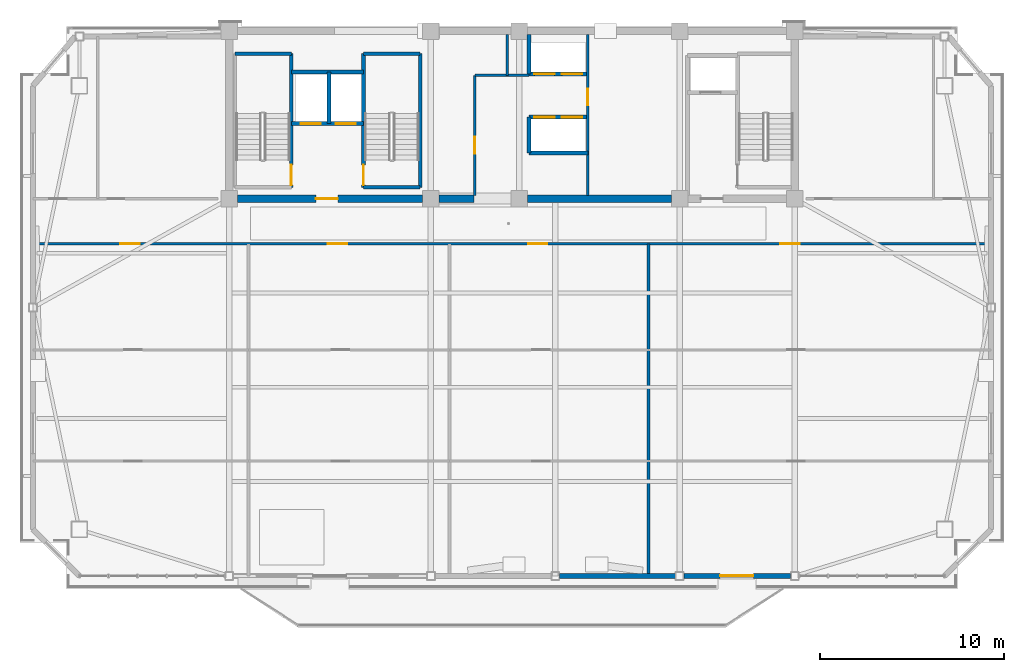
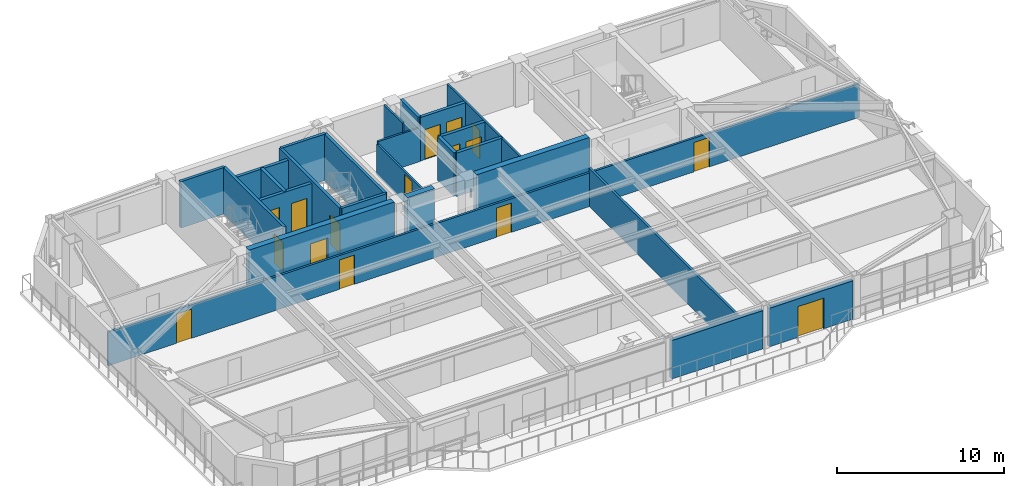
# One storey, part 9 of 16: 25 walls, 16 doors, 16 openings.
"""IFC4 building model written with IfcOpenShell, lengths in metres."""

import ifcopenshell
import ifcopenshell.guid

model = None  # the IFC model being written
_history = None  # IfcOwnerHistory: only IFC2X3 demands one
_inside = {}  # id of a spatial element -> (the spatial element, [elements in it])
_under = {}  # id of a project, library or spatial element -> (it, [spatial elements below it])
_declared = {}  # id of a project -> (the project, [libraries it declares])
_typed = {}  # id of a type object -> (the type object, [elements of that type])
_made_of = {}  # id of a material, layer set ... -> (it, [elements and type objects made of it])


def new_model(schema):
    """Start an empty IFC model of exactly this schema.

    Asked for "IFC4X3", IfcOpenShell would pick the latest addendum, in which some entities
    have other attributes; the version numbers below select the first issue.
    IFC2X3 requires an IfcOwnerHistory on every rooted entity: one is made here for all.
    """
    global model, _history
    if schema == "IFC4X3":
        model = ifcopenshell.file(schema_version=(4, 3, 0, 0))
    else:
        model = ifcopenshell.file(schema=schema)
    _inside.clear()
    _under.clear()
    _declared.clear()
    _typed.clear()
    _made_of.clear()
    _history = None
    if model.schema == "IFC2X3":
        org = make("IfcOrganization", Name="unknown")
        user = make(
            "IfcPersonAndOrganization",
            ThePerson=make("IfcPerson", FamilyName="unknown"),
            TheOrganization=org,
        )
        app = make(
            "IfcApplication",
            ApplicationDeveloper=org,
            Version="unknown",
            ApplicationFullName="unknown",
            ApplicationIdentifier="unknown",
        )
        _history = make(
            "IfcOwnerHistory",
            OwningUser=user,
            OwningApplication=app,
            ChangeAction="ADDED",
            CreationDate=0,
        )
    return model


def make(cls, **values):
    """One entity of the class cls with the attributes given. An attribute that is None is left unset."""
    return model.create_entity(
        cls, **{name: value for name, value in values.items() if value is not None}
    )


def rooted(cls, **values):
    """An entity with a GlobalId (a new one), such as an element, a storey or a relation."""
    return make(cls, GlobalId=ifcopenshell.guid.new(), OwnerHistory=_history, **values)


def si_unit(unit_type, name, prefix=None):
    """IfcSIUnit, for example si_unit("LENGTHUNIT", "METRE", prefix="MILLI")."""
    return make("IfcSIUnit", UnitType=unit_type, Prefix=prefix, Name=name)


def assignment(units):
    """IfcUnitAssignment: the units of a project."""
    return None if units is None else make("IfcUnitAssignment", Units=units)


def point(xyz):
    """IfcCartesianPoint."""
    return None if xyz is None else make("IfcCartesianPoint", Coordinates=xyz)


def direction(xyz):
    """IfcDirection."""
    return None if xyz is None else make("IfcDirection", DirectionRatios=xyz)


def frame(location, z_axis=None, x_axis=None):
    """IfcAxis2Placement3D, a coordinate frame: its origin and axes. An axis left out is left unset."""
    return make(
        "IfcAxis2Placement3D",
        Location=point(location),
        Axis=direction(z_axis),
        RefDirection=direction(x_axis),
    )


def frame_2d(location, x_axis=None):
    """IfcAxis2Placement2D, a coordinate frame in the plane: its origin and x axis."""
    return make(
        "IfcAxis2Placement2D", Location=point(location), RefDirection=direction(x_axis)
    )


def origin():
    """The frame at (0, 0, 0) with its axes left unset."""
    return frame((0.0, 0.0, 0.0))


def place(relative_to, where):
    """IfcLocalPlacement: puts the frame where relative to a parent placement (None: the world)."""
    return make(
        "IfcLocalPlacement", PlacementRelTo=relative_to, RelativePlacement=where
    )


def context(
    kind, dimensions, precision=None, world=None, true_north=None, identifier=None
):
    """IfcGeometricRepresentationContext, for example the 3D "Model" context."""
    return make(
        "IfcGeometricRepresentationContext",
        ContextIdentifier=identifier,
        ContextType=kind,
        CoordinateSpaceDimension=dimensions,
        Precision=precision,
        WorldCoordinateSystem=world,
        TrueNorth=true_north,
    )


def subcontext(parent, identifier, kind, view, scale=None):
    """IfcGeometricRepresentationSubContext, for example "Body" below "Model"."""
    return make(
        "IfcGeometricRepresentationSubContext",
        ContextIdentifier=identifier,
        ContextType=kind,
        ParentContext=parent,
        TargetScale=scale,
        TargetView=view,
    )


def project(units=None, contexts=None):
    """IfcProject with its units and contexts."""
    return rooted(
        "IfcProject",
        Name="project",
        RepresentationContexts=contexts,
        UnitsInContext=assignment(units),
    )


def spatial(cls, under=None, at=None, **own):
    """A site, building, storey or space (cls), placed at a placement, below another one or the project."""
    s = rooted(cls, ObjectPlacement=at, **own)
    if under is not None:
        _under.setdefault(under.id(), (under, []))[1].append(s)
    return s


def profile(cls, at=None, kind="AREA", **sizes):
    """A parametric profile (cls). Its sizes go by their IFC names, for example OverallWidth=200.0."""
    return make(cls, ProfileType=kind, Position=at, **sizes)


def rectangle(**sizes):
    """IfcRectangleProfileDef."""
    return profile("IfcRectangleProfileDef", **sizes)


def extrude(swept, where, along, depth):
    """IfcExtrudedAreaSolid: the profile swept, set in the frame where, extruded along a direction by depth."""
    return make(
        "IfcExtrudedAreaSolid",
        SweptArea=swept,
        Position=where,
        ExtrudedDirection=direction(along),
        Depth=depth,
    )


def shape(context_of_items, identifier, shape_type, items):
    """IfcShapeRepresentation: the items that make up one representation, for example the "Body"."""
    return make(
        "IfcShapeRepresentation",
        ContextOfItems=context_of_items,
        RepresentationIdentifier=identifier,
        RepresentationType=shape_type,
        Items=items,
    )


def source(mapping_origin, context_of_items, identifier, shape_type, items):
    """IfcRepresentationMap: a shape defined once, which mapped items show again and again."""
    return make(
        "IfcRepresentationMap",
        MappingOrigin=mapping_origin,
        MappedRepresentation=shape(context_of_items, identifier, shape_type, items),
    )


def transform(
    local_origin,
    x_axis=None,
    y_axis=None,
    z_axis=None,
    scale=None,
    scale2=None,
    scale3=None,
    uniform=True,
):
    """IfcCartesianTransformationOperator3D, or its non-uniform kind. x_axis, y_axis, z_axis: its Axis1, 2, 3."""
    if uniform:
        return make(
            "IfcCartesianTransformationOperator3D",
            Axis1=direction(x_axis),
            Axis2=direction(y_axis),
            LocalOrigin=point(local_origin),
            Scale=scale,
            Axis3=direction(z_axis),
        )
    return make(
        "IfcCartesianTransformationOperator3DnonUniform",
        Axis1=direction(x_axis),
        Axis2=direction(y_axis),
        LocalOrigin=point(local_origin),
        Scale=scale,
        Axis3=direction(z_axis),
        Scale2=scale2,
        Scale3=scale3,
    )


def mapped(mapping_source, mapping_target):
    """IfcMappedItem: shows the shape of a source again, moved by a transform."""
    return make(
        "IfcMappedItem", MappingSource=mapping_source, MappingTarget=mapping_target
    )


def material(Name=None, Category=None):
    """IfcMaterial."""
    return make("IfcMaterial", Name=Name, Category=Category)


def layer(
    of_material, thickness, ventilated=None, Name=None, Category=None, Priority=None
):
    """IfcMaterialLayer: one layer of a wall or slab, of a material (None: an air gap)."""
    return make(
        "IfcMaterialLayer",
        Material=of_material,
        LayerThickness=thickness,
        IsVentilated=ventilated,
        Name=Name,
        Category=Category,
        Priority=Priority,
    )


def layer_set(layers, Name=None):
    """IfcMaterialLayerSet."""
    return make("IfcMaterialLayerSet", MaterialLayers=layers, LayerSetName=Name)


def made_of(thing, what):
    """Note that an element or type object is made of a material, layer set ...; save() writes the relation."""
    if what is not None:
        _made_of.setdefault(what.id(), (what, []))[1].append(thing)
    return thing


def type_object(cls, material=None, **own):
    """A type object (cls), such as IfcWallType, which elements share."""
    return made_of(rooted(cls, **own), material)


def element(
    cls,
    number,
    at=None,
    inside=None,
    cuts=None,
    type_object=None,
    material=None,
    context=None,
    identifier="Body",
    shape_type=None,
    held_by="IfcProductDefinitionShape",
    body=None,
    shapes=None,
    **own,
):
    """One element of the class cls, such as IfcWall. Its Tag is "e" and its number.

    at: its placement. inside: the storey or other place that contains it. cuts: it is an
    opening in that element (IfcRelVoidsElement). A single representation is given by context,
    identifier, shape_type and body (its items); several are given by shapes. held_by: the class
    of the entity that holds the representations. save() writes the other relations.
    """
    e = rooted(cls, Tag="e%d" % number, ObjectPlacement=at, **own)
    if body is not None:
        shapes = [shape(context, identifier, shape_type, body)]
    if shapes is not None:
        e.Representation = make(held_by, Representations=shapes)
    if inside is not None:
        _inside.setdefault(inside.id(), (inside, []))[1].append(e)
    if cuts is not None:
        rooted(
            "IfcRelVoidsElement", RelatingBuildingElement=cuts, RelatedOpeningElement=e
        )
    if type_object is not None:
        _typed.setdefault(type_object.id(), (type_object, []))[1].append(e)
    return made_of(e, material)


def fill(opening, filler):
    """IfcRelFillsElement: the door or window that sits in an opening."""
    return rooted(
        "IfcRelFillsElement",
        RelatingOpeningElement=opening,
        RelatedBuildingElement=filler,
    )


def aggregate(whole, parts):
    """IfcRelAggregates: a whole, such as a stair, and the parts it consists of."""
    return rooted("IfcRelAggregates", RelatingObject=whole, RelatedObjects=parts)


def save(model, path):
    """Write the relations noted so far, then the file.

    IfcRelAggregates (storeys below a building ...), IfcRelContainedInSpatialStructure (elements
    in a storey), IfcRelDefinesByType, IfcRelAssociatesMaterial and IfcRelDeclares: one each for
    every whole, place, type object, material and project.
    """
    for whole, parts in _under.values():
        aggregate(whole, parts)
    for where, things in _inside.values():
        rooted(
            "IfcRelContainedInSpatialStructure",
            RelatedElements=things,
            RelatingStructure=where,
        )
    for kind, things in _typed.values():
        rooted("IfcRelDefinesByType", RelatedObjects=things, RelatingType=kind)
    for what, things in _made_of.values():
        rooted("IfcRelAssociatesMaterial", RelatedObjects=things, RelatingMaterial=what)
    for by, libraries in _declared.values():
        rooted("IfcRelDeclares", RelatingContext=by, RelatedDefinitions=libraries)
    model.write(path)


model = new_model("IFC4")

# Units and contexts
model_context = context("Model", 3, precision=1e-05, world=origin(), true_north=direction((0.0, 1.0)))
body_context = subcontext(model_context, "Body", "Model", "MODEL_VIEW")
ifc_project = project(units=[si_unit("LENGTHUNIT", "METRE"), si_unit("AREAUNIT", "SQUARE_METRE"), si_unit("VOLUMEUNIT", "CUBIC_METRE"), si_unit("PLANEANGLEUNIT", "RADIAN"), si_unit("MASSUNIT", "GRAM", prefix="KILO")], contexts=[model_context])

# Site, building, storey
site_placement = place(None, origin())
site = spatial("IfcSite", under=ifc_project, at=site_placement, CompositionType="ELEMENT")
building_placement = place(site_placement, origin())
building = spatial("IfcBuilding", under=site, at=building_placement, Name="Giltprow Tower", CompositionType="ELEMENT")
storey_placement = place(building_placement, frame((0.0, 0.0, 272.300048828125)))
storey = spatial("IfcBuildingStorey", under=building, at=storey_placement, Name="L70", CompositionType="ELEMENT", Elevation=272.300048828125)

# Wall
ifc_material_1 = material(Name="Precast concrete C40", Category="concrete")
ifc_layer_1 = layer(ifc_material_1, 0.280029296875, Name="Precast concrete C40")
ifc_layer_set_1 = layer_set([ifc_layer_1], Name="Precast concrete C40")
wall_type_1 = type_object("IfcWallType", Name="EW-TOW-BRONZE-280", PredefinedType="SOLIDWALL", material=ifc_layer_set_1)
wall_1_placement = place(storey_placement, frame((37.77490234375, 16.97607421875, 0.0), z_axis=(0.0, 0.0, 1.0), x_axis=(1.0, 0.0, 0.0)))
element("IfcWall", 1, at=wall_1_placement, inside=storey, type_object=wall_type_1, Name="L70 South Expressed Frame Wall 4", PredefinedType="SOLIDWALL", context=body_context, shape_type="SweptSolid", body=[
    extrude(rectangle(XDim=6.300048828125, YDim=0.280029296875, at=frame_2d((3.14990234375, 0.0))), origin(), (0.0, 0.0, 1.0), 2.81494140625),
])

# Wall, opening, door
wall_2_placement = place(storey_placement, frame((44.52490234375, 16.97607421875, 0.0), z_axis=(0.0, 0.0, 1.0), x_axis=(1.0, 0.0, 0.0)))
wall_2 = element("IfcWall", 2, at=wall_2_placement, inside=storey, type_object=wall_type_1, Name="L70 South Expressed Frame Wall 5", PredefinedType="SOLIDWALL", context=body_context, shape_type="SweptSolid", body=[
    extrude(rectangle(XDim=5.800048828125, YDim=0.280029296875, at=frame_2d((2.89990234375, 0.0))), origin(), (0.0, 0.0, 1.0), 2.81494140625),
])
opening_1_placement = place(wall_2_placement, frame((1.97509765625, 0.0, 0.0)))
opening_1 = element("IfcOpeningElement", 3, at=opening_1_placement, cuts=wall_2, Name="Opening ED25", PredefinedType="OPENING", context=body_context, shape_type="SweptSolid", body=[
    extrude(rectangle(XDim=1.800048828125, YDim=2.25, at=frame_2d((0.89990234375, 1.125))), frame((0.0, 0.14990234375, 0.0), z_axis=(0.0, -1.0, 0.0), x_axis=(1.0, 0.0, 0.0)), (0.0, 0.0, 1.0), 0.300048828125),
])
ifc_material_2 = material(Name="Anodized bronze and glass", Category="glass")
door_type_1 = type_object("IfcDoorType", Name="DR-BALC-SLIDE-1800", OperationType="SLIDING_TO_LEFT", PredefinedType="DOOR", material=ifc_material_2)
shared_shape_1 = source(origin(), body_context, "Body", "SweptSolid", [
    extrude(rectangle(XDim=1.800048828125, YDim=2.25, at=frame_2d((0.89990234375, 1.125))), frame((0.0, 0.02490234375, 0.0), z_axis=(0.0, -1.0, 0.0), x_axis=(1.0, 0.0, 0.0)), (0.0, 0.0, 1.0), 0.050048828125),
])
door_1_placement = place(opening_1_placement, origin())
door_1 = element("IfcDoor", 4, at=door_1_placement, inside=storey, type_object=door_type_1, Name="L70 Waterfront Balcony Sliding Door 2", OperationType="SLIDING_TO_LEFT", OverallHeight=2.25, OverallWidth=1.800048828125, PredefinedType="DOOR", context=body_context, shape_type="MappedRepresentation", body=[
    mapped(shared_shape_1, transform((0.0, 0.0, 0.0), x_axis=(1.0, 0.0, 0.0), y_axis=(0.0, 1.0, 0.0), z_axis=(0.0, 0.0, 1.0), scale=1.0)),
])
fill(opening_1, door_1)

# Wall, openings, doors
ifc_material_3 = material(Name="Gypsum stud partition", Category="gypsum")
ifc_layer_2 = layer(ifc_material_3, 0.14990234375, Name="Gypsum stud partition")
ifc_layer_set_2 = layer_set([ifc_layer_2], Name="Gypsum stud partition")
wall_type_2 = type_object("IfcWallType", Name="IW-CORR-150", PredefinedType="PARTITIONING", material=ifc_layer_set_2)
wall_3_placement = place(storey_placement, frame((9.194091796875, 35.0, 0.0), z_axis=(0.0, 0.0, 1.0), x_axis=(1.0, 0.0, 0.0)))
wall_3 = element("IfcWall", 5, at=wall_3_placement, inside=storey, type_object=wall_type_2, Name="L70 Residence Gallery Corridor Wall", PredefinedType="PARTITIONING", context=body_context, shape_type="SweptSolid", body=[
    extrude(rectangle(XDim=52.012939453125, YDim=0.14990234375, at=frame_2d((26.00634765625, 0.0))), origin(), (0.0, 0.0, 1.0), 2.469970703125),
])
opening_2_placement = place(wall_3_placement, frame((4.740966796875, 0.0, 0.0)))
opening_2 = element("IfcOpeningElement", 6, at=opening_2_placement, cuts=wall_3, Name="Opening ID31", PredefinedType="OPENING", context=body_context, shape_type="SweptSolid", body=[
    extrude(rectangle(XDim=1.050048828125, YDim=2.14990234375, at=frame_2d((0.52490234375, 1.074951171875))), frame((0.0, 0.0849609375, 0.0), z_axis=(0.0, -1.0, 0.0), x_axis=(1.0, 0.0, 0.0)), (0.0, 0.0, 1.0), 0.169921875),
])
opening_3_placement = place(wall_3_placement, frame((16.01708984375, 0.0, 0.0)))
opening_3 = element("IfcOpeningElement", 7, at=opening_3_placement, cuts=wall_3, Name="Opening ID31", PredefinedType="OPENING", context=body_context, shape_type="SweptSolid", body=[
    extrude(rectangle(XDim=1.050048828125, YDim=2.14990234375, at=frame_2d((0.52490234375, 1.074951171875))), frame((0.0, 0.0849609375, 0.0), z_axis=(0.0, -1.0, 0.0), x_axis=(1.0, 0.0, 0.0)), (0.0, 0.0, 1.0), 0.169921875),
])
opening_4_placement = place(wall_3_placement, frame((26.87890625, 0.0, 0.0)))
opening_4 = element("IfcOpeningElement", 8, at=opening_4_placement, cuts=wall_3, Name="Opening ID31", PredefinedType="OPENING", context=body_context, shape_type="SweptSolid", body=[
    extrude(rectangle(XDim=1.050048828125, YDim=2.14990234375, at=frame_2d((0.52490234375, 1.074951171875))), frame((0.0, 0.0849609375, 0.0), z_axis=(0.0, -1.0, 0.0), x_axis=(1.0, 0.0, 0.0)), (0.0, 0.0, 1.0), 0.169921875),
])
opening_5_placement = place(wall_3_placement, frame((40.570068359375, 0.0, 0.0)))
opening_5 = element("IfcOpeningElement", 9, at=opening_5_placement, cuts=wall_3, Name="Opening ID31", PredefinedType="OPENING", context=body_context, shape_type="SweptSolid", body=[
    extrude(rectangle(XDim=1.050048828125, YDim=2.14990234375, at=frame_2d((0.52490234375, 1.074951171875))), frame((0.0, 0.0849609375, 0.0), z_axis=(0.0, -1.0, 0.0), x_axis=(1.0, 0.0, 0.0)), (0.0, 0.0, 1.0), 0.169921875),
])
ifc_material_4 = material(Name="Engineered timber", Category="wood")
door_type_2 = type_object("IfcDoorType", Name="DR-SUITE-1050", OperationType="SINGLE_SWING_LEFT", PredefinedType="DOOR", material=ifc_material_4)
shared_shape_2 = source(origin(), body_context, "Body", "SweptSolid", [
    extrude(rectangle(XDim=1.050048828125, YDim=2.14990234375, at=frame_2d((0.52490234375, 1.074951171875))), frame((0.0, 0.02490234375, 0.0), z_axis=(0.0, -1.0, 0.0), x_axis=(1.0, 0.0, 0.0)), (0.0, 0.0, 1.0), 0.050048828125),
])
door_2_placement = place(opening_2_placement, origin())
door_2 = element("IfcDoor", 10, at=door_2_placement, inside=storey, type_object=door_type_2, Name="L70 Private Wine Cellar Store 1 North Door", OperationType="SINGLE_SWING_RIGHT", OverallHeight=2.14990234375, OverallWidth=1.050048828125, PredefinedType="DOOR", context=body_context, shape_type="MappedRepresentation", body=[
    mapped(shared_shape_2, transform((0.0, 0.0, 0.0), x_axis=(1.0, 0.0, 0.0), y_axis=(0.0, 1.0, 0.0), z_axis=(0.0, 0.0, 1.0), scale=1.0)),
])
fill(opening_2, door_2)
door_3_placement = place(opening_3_placement, origin())
door_3 = element("IfcDoor", 11, at=door_3_placement, inside=storey, type_object=door_type_2, Name="L70 Residents Sky Club Lounge North Door", OperationType="SINGLE_SWING_LEFT", OverallHeight=2.14990234375, OverallWidth=1.050048828125, PredefinedType="DOOR", context=body_context, shape_type="MappedRepresentation", body=[
    mapped(shared_shape_2, transform((0.0, 0.0, 0.0), x_axis=(1.0, 0.0, 0.0), y_axis=(0.0, 1.0, 0.0), z_axis=(0.0, 0.0, 1.0), scale=1.0)),
])
fill(opening_3, door_3)
door_4_placement = place(opening_4_placement, origin())
door_4 = element("IfcDoor", 12, at=door_4_placement, inside=storey, type_object=door_type_2, Name="L70 Residents Sky Club Lounge North Door", OperationType="SINGLE_SWING_RIGHT", OverallHeight=2.14990234375, OverallWidth=1.050048828125, PredefinedType="DOOR", context=body_context, shape_type="MappedRepresentation", body=[
    mapped(shared_shape_2, transform((0.0, 0.0, 0.0), x_axis=(1.0, 0.0, 0.0), y_axis=(0.0, 1.0, 0.0), z_axis=(0.0, 0.0, 1.0), scale=1.0)),
])
fill(opening_4, door_4)
door_5_placement = place(opening_5_placement, origin())
door_5 = element("IfcDoor", 13, at=door_5_placement, inside=storey, type_object=door_type_2, Name="L70 Valet Trunk Store 2 North Door", OperationType="SINGLE_SWING_LEFT", OverallHeight=2.14990234375, OverallWidth=1.050048828125, PredefinedType="DOOR", context=body_context, shape_type="MappedRepresentation", body=[
    mapped(shared_shape_2, transform((0.0, 0.0, 0.0), x_axis=(1.0, 0.0, 0.0), y_axis=(0.0, 1.0, 0.0), z_axis=(0.0, 0.0, 1.0), scale=1.0)),
])
fill(opening_5, door_5)

# Wall
ifc_layer_3 = layer(ifc_material_3, 0.159912109375, Name="Gypsum stud partition")
ifc_layer_set_3 = layer_set([ifc_layer_3], Name="Gypsum stud partition")
wall_type_3 = type_object("IfcWallType", Name="IW-DEMISE-160", PredefinedType="PARTITIONING", material=ifc_layer_set_3)
wall_4_placement = place(storey_placement, frame((42.60009765625, 16.97607421875, 0.0), z_axis=(0.0, 0.0, 1.0), x_axis=(0.0, 1.0, 0.0)))
element("IfcWall", 14, at=wall_4_placement, inside=storey, type_object=wall_type_3, Name="L70 Apartment Party Wall 3", PredefinedType="PARTITIONING", context=body_context, shape_type="SweptSolid", body=[
    extrude(rectangle(XDim=18.02392578125, YDim=0.159912109375, at=frame_2d((9.011962890625, 0.0))), origin(), (0.0, 0.0, 1.0), 2.77001953125),
])

# Wall, openings, doors
ifc_material_5 = material(Name="Concrete C40", Category="concrete")
ifc_layer_4 = layer(ifc_material_5, 0.219970703125, Name="Concrete C40")
ifc_layer_set_4 = layer_set([ifc_layer_4], Name="Concrete C40")
wall_type_4 = type_object("IfcWallType", Name="IW-SHAFT-220", PredefinedType="SOLIDWALL", material=ifc_layer_set_4)
wall_5_placement = place(storey_placement, frame((23.219970703125, 41.52001953125, 0.0), z_axis=(0.0, 0.0, 1.0), x_axis=(1.0, 0.0, 0.0)))
wall_5 = element("IfcWall", 15, at=wall_5_placement, inside=storey, type_object=wall_type_4, Name="L70 FFL1 and Service Lift Front Wall", PredefinedType="SOLIDWALL", context=body_context, shape_type="SweptSolid", body=[
    extrude(rectangle(XDim=3.919921875, YDim=0.219970703125, at=frame_2d((1.9599609375, 0.0))), origin(), (0.0, 0.0, 1.0), 3.18505859375),
])
opening_6_placement = place(wall_5_placement, frame((0.5, 0.0, 0.0)))
opening_6 = element("IfcOpeningElement", 16, at=opening_6_placement, cuts=wall_5, Name="Opening LD-11", PredefinedType="OPENING", context=body_context, shape_type="SweptSolid", body=[
    extrude(rectangle(XDim=1.10009765625, YDim=2.199951171875, at=frame_2d((0.550048828125, 1.10009765625))), frame((0.0, 0.119873046875, 0.0), z_axis=(0.0, -1.0, 0.0), x_axis=(1.0, 0.0, 0.0)), (0.0, 0.0, 1.0), 0.239990234375),
])
opening_7_placement = place(wall_5_placement, frame((2.39990234375, 0.0, 0.0)))
opening_7 = element("IfcOpeningElement", 17, at=opening_7_placement, cuts=wall_5, Name="Opening LD-11", PredefinedType="OPENING", context=body_context, shape_type="SweptSolid", body=[
    extrude(rectangle(XDim=1.10009765625, YDim=2.199951171875, at=frame_2d((0.550048828125, 1.10009765625))), frame((0.0, 0.119873046875, 0.0), z_axis=(0.0, -1.0, 0.0), x_axis=(1.0, 0.0, 0.0)), (0.0, 0.0, 1.0), 0.239990234375),
])
ifc_material_6 = material(Name="Stainless steel", Category="steel")
door_type_3 = type_object("IfcDoorType", Name="DR-LIFT-LD1100", OperationType="SLIDING_TO_LEFT", PredefinedType="DOOR", material=ifc_material_6)
shared_shape_3 = source(origin(), body_context, "Body", "SweptSolid", [
    extrude(rectangle(XDim=1.10009765625, YDim=2.199951171875, at=frame_2d((0.550048828125, 1.10009765625))), frame((0.0, 0.02490234375, 0.0), z_axis=(0.0, -1.0, 0.0), x_axis=(1.0, 0.0, 0.0)), (0.0, 0.0, 1.0), 0.050048828125),
])
door_6_placement = place(opening_6_placement, origin())
door_6 = element("IfcDoor", 18, at=door_6_placement, inside=storey, type_object=door_type_3, Name="L70 FFL1 Landing Door", OperationType="SLIDING_TO_LEFT", OverallHeight=2.199951171875, OverallWidth=1.10009765625, PredefinedType="DOOR", context=body_context, shape_type="MappedRepresentation", body=[
    mapped(shared_shape_3, transform((0.0, 0.0, 0.0), x_axis=(1.0, 0.0, 0.0), y_axis=(0.0, 1.0, 0.0), z_axis=(0.0, 0.0, 1.0), scale=1.0)),
])
fill(opening_6, door_6)
door_7_placement = place(opening_7_placement, origin())
door_7 = element("IfcDoor", 19, at=door_7_placement, inside=storey, type_object=door_type_3, Name="L70 SVL1 Landing Door", OperationType="SLIDING_TO_LEFT", OverallHeight=2.199951171875, OverallWidth=1.10009765625, PredefinedType="DOOR", context=body_context, shape_type="MappedRepresentation", body=[
    mapped(shared_shape_3, transform((0.0, 0.0, 0.0), x_axis=(1.0, 0.0, 0.0), y_axis=(0.0, 1.0, 0.0), z_axis=(0.0, 0.0, 1.0), scale=1.0)),
])
fill(opening_7, door_7)

# Walls
wall_6_placement = place(storey_placement, frame((25.260009765625, 41.52001953125, 0.0), z_axis=(0.0, 0.0, 1.0), x_axis=(0.0, 1.0, 0.0)))
element("IfcWall", 20, at=wall_6_placement, inside=storey, type_object=wall_type_4, Name="L70 FFL1-SVL1 Shaft Divider", PredefinedType="SOLIDWALL", context=body_context, shape_type="SweptSolid", body=[
    extrude(rectangle(XDim=2.800048828125, YDim=0.219970703125, at=frame_2d((1.39990234375, 0.0))), origin(), (0.0, 0.0, 1.0), 3.18505859375),
])
wall_7_placement = place(storey_placement, frame((23.219970703125, 44.320068359375, 0.0), z_axis=(0.0, 0.0, 1.0), x_axis=(1.0, 0.0, 0.0)))
element("IfcWall", 21, at=wall_7_placement, inside=storey, type_object=wall_type_4, Name="L70 FFL1-SVL1 Back Shaft Wall", PredefinedType="SOLIDWALL", context=body_context, shape_type="SweptSolid", body=[
    extrude(rectangle(XDim=3.919921875, YDim=0.219970703125, at=frame_2d((1.9599609375, 0.0))), origin(), (0.0, 0.0, 1.0), 3.18505859375),
])

# Wall, openings, doors
wall_8_placement = place(storey_placement, frame((36.1201171875, 44.219970703125, 0.0), z_axis=(0.0, 0.0, 1.0), x_axis=(1.0, 0.0, 0.0)))
wall_8 = element("IfcWall", 22, at=wall_8_placement, inside=storey, type_object=wall_type_4, Name="L70 High-Rise Lift Shaft Front Wall N", PredefinedType="SOLIDWALL", context=body_context, shape_type="SweptSolid", body=[
    extrude(rectangle(XDim=3.199951171875, YDim=0.219970703125, at=frame_2d((1.60009765625, 0.0))), origin(), (0.0, 0.0, 1.0), 3.18505859375),
])
opening_8_placement = place(wall_8_placement, frame((0.300048828125, 0.0, 0.0)))
opening_8 = element("IfcOpeningElement", 23, at=opening_8_placement, cuts=wall_8, Name="Opening LD-11", PredefinedType="OPENING", context=body_context, shape_type="SweptSolid", body=[
    extrude(rectangle(XDim=1.10009765625, YDim=2.199951171875, at=frame_2d((0.550048828125, 1.10009765625))), frame((0.0, 0.119873046875, 0.0), z_axis=(0.0, -1.0, 0.0), x_axis=(1.0, 0.0, 0.0)), (0.0, 0.0, 1.0), 0.239990234375),
])
opening_9_placement = place(wall_8_placement, frame((1.7900390625, 0.0, 0.0)))
opening_9 = element("IfcOpeningElement", 24, at=opening_9_placement, cuts=wall_8, Name="Opening LD-11", PredefinedType="OPENING", context=body_context, shape_type="SweptSolid", body=[
    extrude(rectangle(XDim=1.10009765625, YDim=2.199951171875, at=frame_2d((0.550048828125, 1.10009765625))), frame((0.0, 0.119873046875, 0.0), z_axis=(0.0, -1.0, 0.0), x_axis=(1.0, 0.0, 0.0)), (0.0, 0.0, 1.0), 0.239990234375),
])
door_8_placement = place(opening_8_placement, origin())
door_8 = element("IfcDoor", 25, at=door_8_placement, inside=storey, type_object=door_type_3, Name="L70 PL-H1 Landing Door", OperationType="SLIDING_TO_LEFT", OverallHeight=2.199951171875, OverallWidth=1.10009765625, PredefinedType="DOOR", context=body_context, shape_type="MappedRepresentation", body=[
    mapped(shared_shape_3, transform((0.0, 0.0, 0.0), x_axis=(1.0, 0.0, 0.0), y_axis=(0.0, 1.0, 0.0), z_axis=(0.0, 0.0, 1.0), scale=1.0)),
])
fill(opening_8, door_8)
door_9_placement = place(opening_9_placement, origin())
door_9 = element("IfcDoor", 26, at=door_9_placement, inside=storey, type_object=door_type_3, Name="L70 PL-H2 Landing Door", OperationType="SLIDING_TO_LEFT", OverallHeight=2.199951171875, OverallWidth=1.10009765625, PredefinedType="DOOR", context=body_context, shape_type="MappedRepresentation", body=[
    mapped(shared_shape_3, transform((0.0, 0.0, 0.0), x_axis=(1.0, 0.0, 0.0), y_axis=(0.0, 1.0, 0.0), z_axis=(0.0, 0.0, 1.0), scale=1.0)),
])
fill(opening_9, door_9)

wall_9_placement = place(storey_placement, frame((36.1201171875, 41.8798828125, 0.0), z_axis=(0.0, 0.0, 1.0), x_axis=(1.0, 0.0, 0.0)))
wall_9 = element("IfcWall", 27, at=wall_9_placement, inside=storey, type_object=wall_type_4, Name="L70 High-Rise Lift Shaft Front Wall S", PredefinedType="SOLIDWALL", context=body_context, shape_type="SweptSolid", body=[
    extrude(rectangle(XDim=3.199951171875, YDim=0.219970703125, at=frame_2d((1.60009765625, 0.0))), origin(), (0.0, 0.0, 1.0), 3.18505859375),
])
opening_10_placement = place(wall_9_placement, frame((0.300048828125, 0.0, 0.0)))
opening_10 = element("IfcOpeningElement", 28, at=opening_10_placement, cuts=wall_9, Name="Opening LD-11", PredefinedType="OPENING", context=body_context, shape_type="SweptSolid", body=[
    extrude(rectangle(XDim=1.10009765625, YDim=2.199951171875, at=frame_2d((0.550048828125, 1.10009765625))), frame((0.0, 0.119873046875, 0.0), z_axis=(0.0, -1.0, 0.0), x_axis=(1.0, 0.0, 0.0)), (0.0, 0.0, 1.0), 0.239990234375),
])
opening_11_placement = place(wall_9_placement, frame((1.7900390625, 0.0, 0.0)))
opening_11 = element("IfcOpeningElement", 29, at=opening_11_placement, cuts=wall_9, Name="Opening LD-11", PredefinedType="OPENING", context=body_context, shape_type="SweptSolid", body=[
    extrude(rectangle(XDim=1.10009765625, YDim=2.199951171875, at=frame_2d((0.550048828125, 1.10009765625))), frame((0.0, 0.119873046875, 0.0), z_axis=(0.0, -1.0, 0.0), x_axis=(1.0, 0.0, 0.0)), (0.0, 0.0, 1.0), 0.239990234375),
])
door_10_placement = place(opening_10_placement, origin())
door_10 = element("IfcDoor", 30, at=door_10_placement, inside=storey, type_object=door_type_3, Name="L70 PL-H3 Landing Door", OperationType="SLIDING_TO_LEFT", OverallHeight=2.199951171875, OverallWidth=1.10009765625, PredefinedType="DOOR", context=body_context, shape_type="MappedRepresentation", body=[
    mapped(shared_shape_3, transform((0.0, 0.0, 0.0), x_axis=(1.0, 0.0, 0.0), y_axis=(0.0, 1.0, 0.0), z_axis=(0.0, 0.0, 1.0), scale=1.0)),
])
fill(opening_10, door_10)
door_11_placement = place(opening_11_placement, origin())
door_11 = element("IfcDoor", 31, at=door_11_placement, inside=storey, type_object=door_type_3, Name="L70 PL-H4 Landing Door", OperationType="SLIDING_TO_LEFT", OverallHeight=2.199951171875, OverallWidth=1.10009765625, PredefinedType="DOOR", context=body_context, shape_type="MappedRepresentation", body=[
    mapped(shared_shape_3, transform((0.0, 0.0, 0.0), x_axis=(1.0, 0.0, 0.0), y_axis=(0.0, 1.0, 0.0), z_axis=(0.0, 0.0, 1.0), scale=1.0)),
])
fill(opening_11, door_11)

# Walls
wall_10_placement = place(storey_placement, frame((36.1201171875, 39.919921875, 0.0), z_axis=(0.0, 0.0, 1.0), x_axis=(1.0, 0.0, 0.0)))
element("IfcWall", 32, at=wall_10_placement, inside=storey, type_object=wall_type_4, Name="L70 High-Rise South Lift Back Wall", PredefinedType="SOLIDWALL", context=body_context, shape_type="SweptSolid", body=[
    extrude(rectangle(XDim=3.199951171875, YDim=0.219970703125, at=frame_2d((1.60009765625, 0.0))), origin(), (0.0, 0.0, 1.0), 3.18505859375),
])
wall_11_placement = place(storey_placement, frame((36.1201171875, 39.919921875, 0.0), z_axis=(0.0, 0.0, 1.0), x_axis=(0.0, 1.0, 0.0)))
element("IfcWall", 33, at=wall_11_placement, inside=storey, type_object=wall_type_4, Name="L70 High-Rise South Lift West Closure", PredefinedType="SOLIDWALL", context=body_context, shape_type="SweptSolid", body=[
    extrude(rectangle(XDim=1.9599609375, YDim=0.219970703125, at=frame_2d((0.97998046875, 0.0))), origin(), (0.0, 0.0, 1.0), 3.18505859375),
])
wall_12_placement = place(storey_placement, frame((36.1201171875, 44.219970703125, 0.0), z_axis=(0.0, 0.0, 1.0), x_axis=(0.0, 1.0, 0.0)))
element("IfcWall", 34, at=wall_12_placement, inside=storey, type_object=wall_type_4, Name="L70 High-Rise North Lift West Closure", PredefinedType="SOLIDWALL", context=body_context, shape_type="SweptSolid", body=[
    extrude(rectangle(XDim=2.150146484375, YDim=0.219970703125, at=frame_2d((1.0751953125, 0.0))), origin(), (0.0, 0.0, 1.0), 3.18505859375),
])

# Wall, opening, door
ifc_layer_5 = layer(ifc_material_5, 0.199951171875, Name="Concrete C40")
ifc_layer_set_5 = layer_set([ifc_layer_5], Name="Concrete C40")
wall_type_5 = type_object("IfcWallType", Name="IW-STAIR-200", PredefinedType="SOLIDWALL", material=ifc_layer_set_5)
wall_13_placement = place(storey_placement, frame((23.219970703125, 38.070068359375, 0.0), z_axis=(0.0, 0.0, 1.0), x_axis=(0.0, 1.0, 0.0)))
wall_13 = element("IfcWall", 35, at=wall_13_placement, inside=storey, type_object=wall_type_5, Name="L70 Stair ST-1 East Bearing Wall", PredefinedType="SOLIDWALL", context=body_context, shape_type="SweptSolid", body=[
    extrude(rectangle(XDim=7.25, YDim=0.199951171875, at=frame_2d((3.625, 0.0))), origin(), (0.0, 0.0, 1.0), 3.39990234375),
])
opening_12_placement = place(wall_13_placement, frame((0.110107421875, 0.0, 0.0)))
opening_12 = element("IfcOpeningElement", 36, at=opening_12_placement, cuts=wall_13, Name="Opening ID33", PredefinedType="OPENING", context=body_context, shape_type="SweptSolid", body=[
    extrude(rectangle(XDim=1.10009765625, YDim=2.14990234375, at=frame_2d((0.550048828125, 1.074951171875))), frame((0.0, 0.10986328125, 0.0), z_axis=(0.0, -1.0, 0.0), x_axis=(1.0, 0.0, 0.0)), (0.0, 0.0, 1.0), 0.219970703125),
])
ifc_material_7 = material(Name="Steel fire leaf", Category="steel")
door_type_4 = type_object("IfcDoorType", Name="DR-STAIR-1100", OperationType="SINGLE_SWING_LEFT", PredefinedType="DOOR", material=ifc_material_7)
shared_shape_4 = source(origin(), body_context, "Body", "SweptSolid", [
    extrude(rectangle(XDim=1.10009765625, YDim=2.14990234375, at=frame_2d((0.550048828125, 1.074951171875))), frame((0.0, 0.02490234375, 0.0), z_axis=(0.0, -1.0, 0.0), x_axis=(1.0, 0.0, 0.0)), (0.0, 0.0, 1.0), 0.050048828125),
])
door_12_placement = place(opening_12_placement, origin())
door_12 = element("IfcDoor", 37, at=door_12_placement, inside=storey, type_object=door_type_4, Name="L70 Stair ST-1 Fire Door", OperationType="SINGLE_SWING_LEFT", OverallHeight=2.14990234375, OverallWidth=1.10009765625, PredefinedType="DOOR", context=body_context, shape_type="MappedRepresentation", body=[
    mapped(shared_shape_4, transform((0.0, 0.0, 0.0), x_axis=(1.0, 0.0, 0.0), y_axis=(0.0, 1.0, 0.0), z_axis=(0.0, 0.0, 1.0), scale=1.0)),
])
fill(opening_12, door_12)

# Wall
wall_14_placement = place(storey_placement, frame((20.169921875, 45.320068359375, 0.0), z_axis=(0.0, 0.0, 1.0), x_axis=(1.0, 0.0, 0.0)))
element("IfcWall", 38, at=wall_14_placement, inside=storey, type_object=wall_type_5, Name="L70 Stair ST-1 North Bearing Wall", PredefinedType="SOLIDWALL", context=body_context, shape_type="SweptSolid", body=[
    extrude(rectangle(XDim=3.050048828125, YDim=0.199951171875, at=frame_2d((1.52490234375, 0.0))), origin(), (0.0, 0.0, 1.0), 3.39990234375),
])

# Wall, opening, door
wall_15_placement = place(storey_placement, frame((27.139892578125, 38.070068359375, 0.0), z_axis=(0.0, 0.0, 1.0), x_axis=(0.0, 1.0, 0.0)))
wall_15 = element("IfcWall", 39, at=wall_15_placement, inside=storey, type_object=wall_type_5, Name="L70 Stair ST-2 West Bearing Wall", PredefinedType="SOLIDWALL", context=body_context, shape_type="SweptSolid", body=[
    extrude(rectangle(XDim=7.25, YDim=0.199951171875, at=frame_2d((3.625, 0.0))), origin(), (0.0, 0.0, 1.0), 3.39990234375),
])
opening_13_placement = place(wall_15_placement, frame((0.110107421875, 0.0, 0.0)))
opening_13 = element("IfcOpeningElement", 40, at=opening_13_placement, cuts=wall_15, Name="Opening ID33", PredefinedType="OPENING", context=body_context, shape_type="SweptSolid", body=[
    extrude(rectangle(XDim=1.10009765625, YDim=2.14990234375, at=frame_2d((0.550048828125, 1.074951171875))), frame((0.0, 0.10986328125, 0.0), z_axis=(0.0, -1.0, 0.0), x_axis=(1.0, 0.0, 0.0)), (0.0, 0.0, 1.0), 0.219970703125),
])
door_13_placement = place(opening_13_placement, origin())
door_13 = element("IfcDoor", 41, at=door_13_placement, inside=storey, type_object=door_type_4, Name="L70 Stair ST-2 Fire Door", OperationType="SINGLE_SWING_RIGHT", OverallHeight=2.14990234375, OverallWidth=1.10009765625, PredefinedType="DOOR", context=body_context, shape_type="MappedRepresentation", body=[
    mapped(shared_shape_4, transform((0.0, 0.0, 0.0), x_axis=(1.0, 0.0, 0.0), y_axis=(0.0, 1.0, 0.0), z_axis=(0.0, 0.0, 1.0), scale=1.0)),
])
fill(opening_13, door_13)

# Walls
wall_16_placement = place(storey_placement, frame((30.219970703125, 38.070068359375, 0.0), z_axis=(0.0, 0.0, 1.0), x_axis=(0.0, 1.0, 0.0)))
element("IfcWall", 42, at=wall_16_placement, inside=storey, type_object=wall_type_5, Name="L70 Stair ST-2 East Bearing Wall", PredefinedType="SOLIDWALL", context=body_context, shape_type="SweptSolid", body=[
    extrude(rectangle(XDim=7.25, YDim=0.199951171875, at=frame_2d((3.625, 0.0))), origin(), (0.0, 0.0, 1.0), 3.39990234375),
])
for number, where, z_axis, x_axis, name in (
    (43, (27.139892578125, 45.320068359375, 0.0), (0.0, 0.0, 1.0), (1.0, 0.0, 0.0), "L70 Stair ST-2 North Bearing Wall"),
    (44, (27.139892578125, 38.070068359375, 0.0), (0.0, 0.0, 1.0), (1.0, 0.0, 0.0), "L70 Stair ST-2 South Bearing Wall"),
):
    element("IfcWall", number, at=place(storey_placement, frame(where, z_axis=z_axis, x_axis=x_axis)), inside=storey, type_object=wall_type_5, Name=name, PredefinedType="SOLIDWALL", context=body_context, shape_type="SweptSolid", body=[
        extrude(rectangle(XDim=3.080078125, YDim=0.199951171875, at=frame_2d((1.5400390625, 0.0))), origin(), (0.0, 0.0, 1.0), 3.39990234375),
    ])

# Wall, opening, door
ifc_material_8 = material(Name="Concrete C30", Category="concrete")
ifc_layer_6 = layer(ifc_material_8, 0.1298828125, Name="Concrete C30")
ifc_layer_set_6 = layer_set([ifc_layer_6], Name="Concrete C30")
wall_type_6 = type_object("IfcWallType", Name="IW-WET-130", PredefinedType="PARTITIONING", material=ifc_layer_set_6)
wall_17_placement = place(storey_placement, frame((33.179931640625, 37.6298828125, 0.0), z_axis=(0.0, 0.0, 1.0), x_axis=(0.0, 1.0, 0.0)))
wall_17 = element("IfcWall", 45, at=wall_17_placement, inside=storey, type_object=wall_type_6, Name="L70 Reclaimed West Core Wall", PredefinedType="PARTITIONING", context=body_context, shape_type="SweptSolid", body=[
    extrude(rectangle(XDim=6.52001953125, YDim=0.1298828125, at=frame_2d((3.260009765625, 0.0))), origin(), (0.0, 0.0, 1.0), 2.27001953125),
])
opening_14_placement = place(wall_17_placement, frame((2.27001953125, 0.0, 0.0)))
opening_14 = element("IfcOpeningElement", 46, at=opening_14_placement, cuts=wall_17, Name="Opening ID35", PredefinedType="OPENING", context=body_context, shape_type="SweptSolid", body=[
    extrude(rectangle(XDim=0.89990234375, YDim=2.10009765625, at=frame_2d((0.449951171875, 1.050048828125))), frame((0.0, 0.074951171875, 0.0), z_axis=(0.0, -1.0, 0.0), x_axis=(1.0, 0.0, 0.0)), (0.0, 0.0, 1.0), 0.14990234375),
])
door_type_5 = type_object("IfcDoorType", Name="DR-SHAFT-900", OperationType="SINGLE_SWING_LEFT", PredefinedType="DOOR", material=ifc_material_7)
shared_shape_5 = source(origin(), body_context, "Body", "SweptSolid", [
    extrude(rectangle(XDim=0.89990234375, YDim=2.10009765625, at=frame_2d((0.449951171875, 1.050048828125))), frame((0.0, 0.02490234375, 0.0), z_axis=(0.0, -1.0, 0.0), x_axis=(1.0, 0.0, 0.0)), (0.0, 0.0, 1.0), 0.050048828125),
])
door_14_placement = place(opening_14_placement, origin())
door_14 = element("IfcDoor", 47, at=door_14_placement, inside=storey, type_object=door_type_5, Name="L70 Core Accessible Washroom Door", OperationType="SINGLE_SWING_RIGHT", OverallHeight=2.10009765625, OverallWidth=0.89990234375, PredefinedType="DOOR", context=body_context, shape_type="MappedRepresentation", body=[
    mapped(shared_shape_5, transform((0.0, 0.0, 0.0), x_axis=(1.0, 0.0, 0.0), y_axis=(0.0, 1.0, 0.0), z_axis=(0.0, 0.0, 1.0), scale=1.0)),
])
fill(opening_14, door_14)

# Walls
wall_18_placement = place(storey_placement, frame((34.949951171875, 44.14990234375, 0.0), z_axis=(0.0, 0.0, 1.0), x_axis=(0.0, 1.0, 0.0)))
element("IfcWall", 48, at=wall_18_placement, inside=storey, type_object=wall_type_6, Name="L70 Reclaimed West Pocket Wall E", PredefinedType="PARTITIONING", context=body_context, shape_type="SweptSolid", body=[
    extrude(rectangle(XDim=2.22021484375, YDim=0.1298828125, at=frame_2d((1.110107421875, 0.0))), origin(), (0.0, 0.0, 1.0), 3.18505859375),
])
wall_19_placement = place(storey_placement, frame((33.179931640625, 44.14990234375, 0.0), z_axis=(0.0, 0.0, 1.0), x_axis=(1.0, 0.0, 0.0)))
element("IfcWall", 49, at=wall_19_placement, inside=storey, type_object=wall_type_6, Name="L70 Reclaimed West Pocket Wall S", PredefinedType="PARTITIONING", context=body_context, shape_type="SweptSolid", body=[
    extrude(rectangle(XDim=2.940185546875, YDim=0.1298828125, at=frame_2d((1.47021484375, 0.0))), origin(), (0.0, 0.0, 1.0), 2.469970703125),
])

# Wall, opening, door
wall_20_placement = place(storey_placement, frame((39.320068359375, 37.6298828125, 0.0), z_axis=(0.0, 0.0, 1.0), x_axis=(0.0, 1.0, 0.0)))
wall_20 = element("IfcWall", 50, at=wall_20_placement, inside=storey, type_object=wall_type_6, Name="L70 Reclaimed East Core Wall", PredefinedType="PARTITIONING", context=body_context, shape_type="SweptSolid", body=[
    extrude(rectangle(XDim=8.740234375, YDim=0.1298828125, at=frame_2d((4.3701171875, 0.0))), origin(), (0.0, 0.0, 1.0), 3.18505859375),
])
opening_15_placement = place(wall_20_placement, frame((4.889892578125, 0.0, 0.0)))
opening_15 = element("IfcOpeningElement", 51, at=opening_15_placement, cuts=wall_20, Name="Opening ID35", PredefinedType="OPENING", context=body_context, shape_type="SweptSolid", body=[
    extrude(rectangle(XDim=0.89990234375, YDim=2.10009765625, at=frame_2d((0.449951171875, 1.050048828125))), frame((0.0, 0.074951171875, 0.0), z_axis=(0.0, -1.0, 0.0), x_axis=(1.0, 0.0, 0.0)), (0.0, 0.0, 1.0), 0.14990234375),
])
door_15_placement = place(opening_15_placement, origin())
door_15 = element("IfcDoor", 52, at=door_15_placement, inside=storey, type_object=door_type_5, Name="L70 Core Concierge Parcel Store Door", OperationType="SINGLE_SWING_LEFT", OverallHeight=2.10009765625, OverallWidth=0.89990234375, PredefinedType="DOOR", context=body_context, shape_type="MappedRepresentation", body=[
    mapped(shared_shape_5, transform((0.0, 0.0, 0.0), x_axis=(1.0, 0.0, 0.0), y_axis=(0.0, 1.0, 0.0), z_axis=(0.0, 0.0, 1.0), scale=1.0)),
])
fill(opening_15, door_15)

ifc_material_9 = material(Name="Concrete C45", Category="concrete")
ifc_layer_7 = layer(ifc_material_9, 0.39990234375, Name="Concrete C45")
ifc_layer_set_7 = layer_set([ifc_layer_7], Name="Concrete C45")
wall_type_7 = type_object("IfcWallType", Name="SW-INT-400-C45", PredefinedType="SHEAR", material=ifc_layer_set_7)
wall_21_placement = place(storey_placement, frame((20.300048828125, 37.449951171875, 0.0), z_axis=(0.0, 0.0, 1.0), x_axis=(1.0, 0.0, 0.0)))
wall_21 = element("IfcWall", 53, at=wall_21_placement, inside=storey, type_object=wall_type_7, Name="L70 South Rear Core Shear Wall West", PredefinedType="SHEAR", context=body_context, shape_type="SweptSolid", body=[
    extrude(rectangle(XDim=10.050048828125, YDim=0.39990234375, at=frame_2d((5.02490234375, 0.0))), origin(), (0.0, 0.0, 1.0), 3.18505859375),
])
opening_16_placement = place(wall_21_placement, frame((4.25, 0.0, 0.0)))
opening_16 = element("IfcOpeningElement", 54, at=opening_16_placement, cuts=wall_21, Name="Opening ID19", PredefinedType="OPENING", context=body_context, shape_type="SweptSolid", body=[
    extrude(rectangle(XDim=1.199951171875, YDim=2.14990234375, at=frame_2d((0.60009765625, 1.074951171875))), frame((0.0, 0.2099609375, 0.0), z_axis=(0.0, -1.0, 0.0), x_axis=(1.0, 0.0, 0.0)), (0.0, 0.0, 1.0), 0.419921875),
])
door_type_6 = type_object("IfcDoorType", Name="DR-FFLOBBY-1200", OperationType="SINGLE_SWING_RIGHT", PredefinedType="DOOR", material=ifc_material_7)
shared_shape_6 = source(origin(), body_context, "Body", "SweptSolid", [
    extrude(rectangle(XDim=1.199951171875, YDim=2.14990234375, at=frame_2d((0.60009765625, 1.074951171875))), frame((0.0, 0.02490234375, 0.0), z_axis=(0.0, -1.0, 0.0), x_axis=(1.0, 0.0, 0.0)), (0.0, 0.0, 1.0), 0.050048828125),
])
door_16_placement = place(opening_16_placement, origin())
door_16 = element("IfcDoor", 55, at=door_16_placement, inside=storey, type_object=door_type_6, Name="L70 West Firefighting Lobby Entry Door", OperationType="SINGLE_SWING_RIGHT", OverallHeight=2.14990234375, OverallWidth=1.199951171875, PredefinedType="DOOR", context=body_context, shape_type="MappedRepresentation", body=[
    mapped(shared_shape_6, transform((0.0, 0.0, 0.0), x_axis=(1.0, 0.0, 0.0), y_axis=(0.0, 1.0, 0.0), z_axis=(0.0, 0.0, 1.0), scale=1.0)),
])
fill(opening_16, door_16)

# Walls
wall_22_placement = place(storey_placement, frame((31.25, 37.449951171875, 0.0), z_axis=(0.0, 0.0, 1.0), x_axis=(1.0, 0.0, 0.0)))
element("IfcWall", 56, at=wall_22_placement, inside=storey, type_object=wall_type_7, Name="L70 South Rear Core Shear Wall Mid-West", PredefinedType="SHEAR", context=body_context, shape_type="SweptSolid", body=[
    extrude(rectangle(XDim=1.89990234375, YDim=0.39990234375, at=frame_2d((0.949951171875, 0.0))), origin(), (0.0, 0.0, 1.0), 3.18505859375),
])
wall_23_placement = place(storey_placement, frame((36.050048828125, 37.449951171875, 0.0), z_axis=(0.0, 0.0, 1.0), x_axis=(1.0, 0.0, 0.0)))
element("IfcWall", 57, at=wall_23_placement, inside=storey, type_object=wall_type_7, Name="L70 South Rear Core Shear Wall Mid-East", PredefinedType="SHEAR", context=body_context, shape_type="SweptSolid", body=[
    extrude(rectangle(XDim=7.800048828125, YDim=0.39990234375, at=frame_2d((3.89990234375, 0.0))), origin(), (0.0, 0.0, 1.0), 3.18505859375),
])

save(model, "model.ifc")
